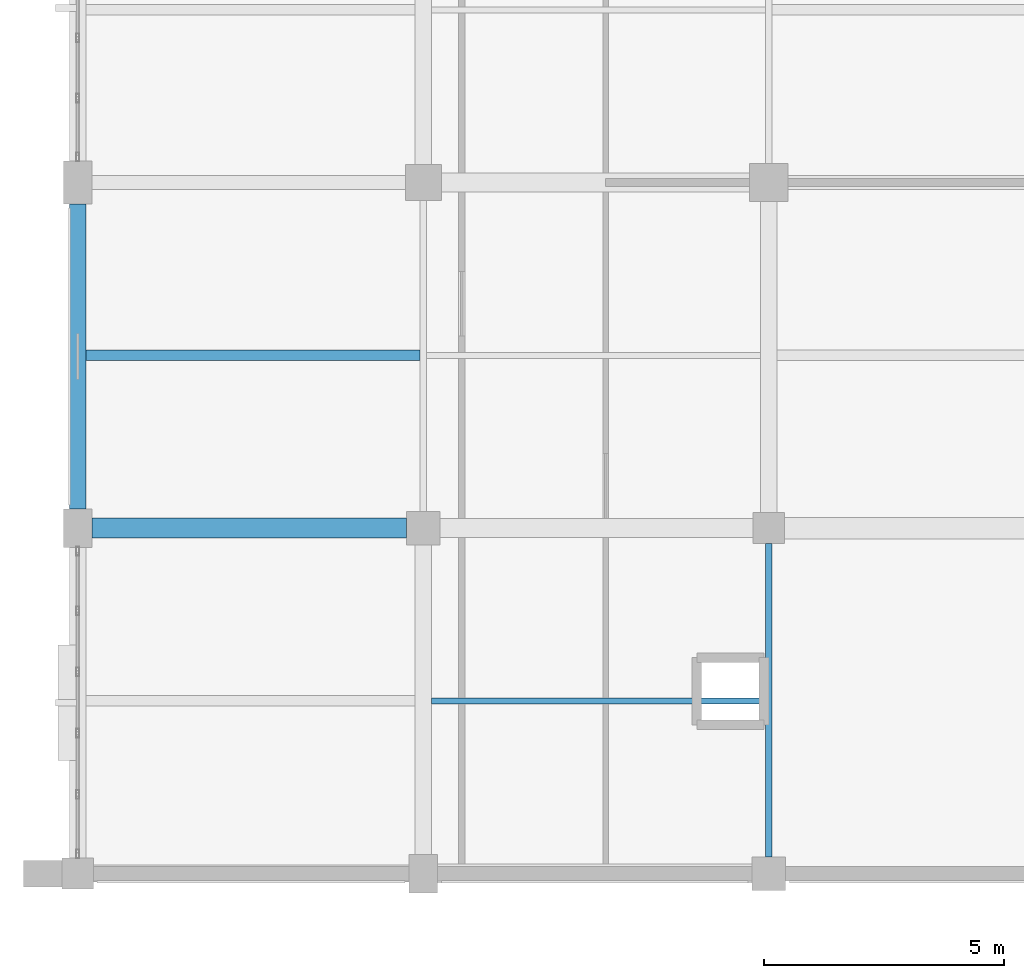
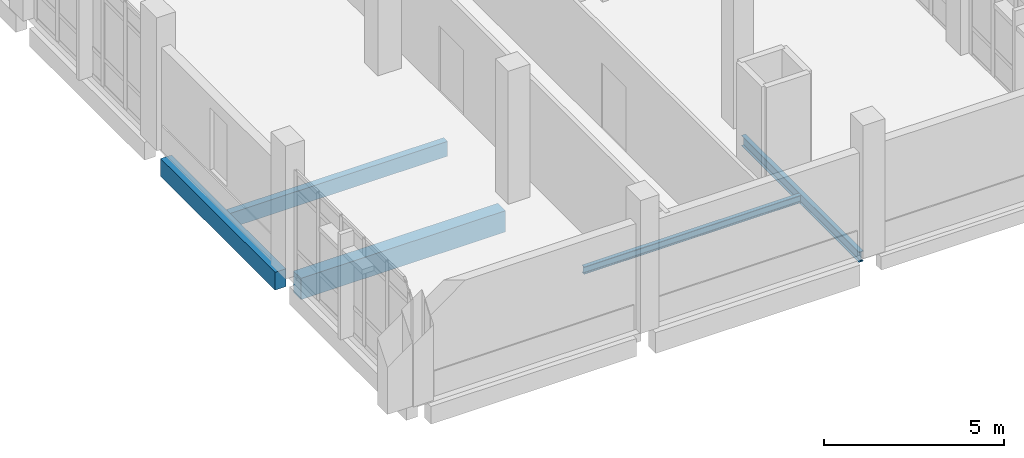
# One storey, part 10 of 134: 5 beams.
"""IFC4 building model written with IfcOpenShell, lengths in metres."""

from ifc_helpers import new_model, si_unit, direction, frame, origin, origin_2d, place, context, subcontext, project, spatial, rectangle, i_section, extrude, material, material_profile, profile_set, type_object, element, save


model = new_model("IFC4")

# Units and contexts
model_context = context("Model", 3, precision=1e-05, world=origin(), true_north=direction((0.0, 1.0)))
body_context = subcontext(model_context, "Body", "Model", "MODEL_VIEW")
ifc_project = project(units=[si_unit("LENGTHUNIT", "METRE"), si_unit("AREAUNIT", "SQUARE_METRE"), si_unit("VOLUMEUNIT", "CUBIC_METRE"), si_unit("PLANEANGLEUNIT", "RADIAN"), si_unit("MASSUNIT", "GRAM", prefix="KILO")], contexts=[model_context])

# Site, building, storey
site_placement = place(None, origin())
site = spatial("IfcSite", under=ifc_project, at=site_placement, CompositionType="ELEMENT")
building_placement = place(site_placement, origin())
building = spatial("IfcBuilding", under=site, at=building_placement, Name="Kalluvel Institute of Natural Sciences", CompositionType="ELEMENT")
storey_placement = place(building_placement, frame((0.0, 0.0, 5.39990234375)))
storey = spatial("IfcBuildingStorey", under=building, at=storey_placement, Name="L01", CompositionType="ELEMENT", Elevation=5.39990234375)

# Beams
ifc_material_1 = material(Name="Steel E350 Grade 350", Category="steel")
ifc_material_profile_1 = material_profile(ifc_material_1, i_section(OverallWidth=0.139892578125, OverallDepth=0.35009765625, WebThickness=0.008056640625, FlangeThickness=0.01416015625, FilletRadius=0.013916015625, at=origin_2d()), Name="ISMB 350")
ifc_profile_set_1 = profile_set([ifc_material_profile_1], Name="Steel E350 Grade 350")
beam_type_1 = type_object("IfcBeamType", Name="BM-ISMB350", PredefinedType="BEAM", material=ifc_profile_set_1)
beam_1_placement = place(storey_placement, frame((28.39990234375, 14.35009765625, -0.474853515625), z_axis=(0.0, 1.0, 0.0), x_axis=(-1.0, 0.0, 0.0)))
element("IfcBeam", 1, at=beam_1_placement, inside=storey, type_object=beam_type_1, Name="L01 girder GIR-L01-NS-X284-Y140", PredefinedType="BEAM", context=body_context, shape_type="SweptSolid", body=[
    extrude(i_section(OverallWidth=0.139892578125, OverallDepth=0.35009765625, WebThickness=0.008056640625, FlangeThickness=0.01416015625, FilletRadius=0.013916015625, at=origin_2d()), origin(), (0.0, 0.0, 1.0), 6.52490234375),
])
ifc_material_2 = material(Name="Concrete M40", Category="concrete")
ifc_material_profile_2 = material_profile(ifc_material_2, rectangle(XDim=0.419921875, YDim=0.719970703125, at=origin_2d()), Name="RCB 420x720")
ifc_profile_set_2 = profile_set([ifc_material_profile_2], Name="Concrete M40")
beam_type_2 = type_object("IfcBeamType", Name="BM-RC420x720", PredefinedType="BEAM", material=ifc_profile_set_2)
beam_2_placement = place(storey_placement, frame((14.300048828125, 21.199951171875, -0.659912109375), z_axis=(1.0, 0.0, 0.0), x_axis=(0.0, 1.0, 0.0)))
element("IfcBeam", 2, at=beam_2_placement, inside=storey, type_object=beam_type_2, Name="L01 girder GIR-L01-EW-X140-Y212", PredefinedType="BEAM", context=body_context, shape_type="SweptSolid", body=[
    extrude(rectangle(XDim=0.419921875, YDim=0.719970703125, at=origin_2d()), origin(), (0.0, 0.0, 1.0), 6.550048828125),
])
ifc_material_profile_3 = material_profile(ifc_material_2, rectangle(XDim=0.35009765625, YDim=0.60009765625, at=origin_2d()), Name="RCB 350x600")
ifc_profile_set_3 = profile_set([ifc_material_profile_3], Name="Concrete M40")
beam_type_3 = type_object("IfcBeamType", Name="SP-RC350x600", PredefinedType="SPANDREL", material=ifc_profile_set_3)
beam_3_placement = place(storey_placement, frame((14.0, 21.60009765625, -0.599853515625), z_axis=(0.0, 1.0, 0.0), x_axis=(-1.0, 0.0, 0.0)))
element("IfcBeam", 3, at=beam_3_placement, inside=storey, type_object=beam_type_3, Name="L01 girder GIR-L01-NS-X140-Y212", PredefinedType="SPANDREL", context=body_context, shape_type="SweptSolid", body=[
    extrude(rectangle(XDim=0.35009765625, YDim=0.60009765625, at=origin_2d()), origin(), (0.0, 0.0, 1.0), 6.349853515625),
])
ifc_material_profile_4 = material_profile(ifc_material_2, rectangle(XDim=0.219970703125, YDim=0.5, at=origin_2d()), Name="WAF 220x500")
ifc_profile_set_4 = profile_set([ifc_material_profile_4], Name="Concrete M40")
beam_type_4 = type_object("IfcBeamType", Name="WJ-220x500", PredefinedType="JOIST", material=ifc_profile_set_4)
beam_4_placement = place(storey_placement, frame((14.175048828125, 24.800048828125, -0.5498046875), z_axis=(1.0, 0.0, 0.0), x_axis=(0.0, 1.0, 0.0)))
element("IfcBeam", 4, at=beam_4_placement, inside=storey, type_object=beam_type_4, Name="L01 floor rib RIB-L01-0628", PredefinedType="JOIST", context=body_context, shape_type="SweptSolid", body=[
    extrude(rectangle(XDim=0.219970703125, YDim=0.5, at=origin_2d()), origin(), (0.0, 0.0, 1.0), 6.954833984375),
])
ifc_material_profile_5 = material_profile(ifc_material_1, i_section(OverallWidth=0.125, OverallDepth=0.25, WebThickness=0.0068359375, FlangeThickness=0.012451171875, FilletRadius=0.012939453125, at=origin_2d()), Name="ISMB 250")
ifc_profile_set_5 = profile_set([ifc_material_profile_5], Name="Steel E350 Grade 350")
beam_type_5 = type_object("IfcBeamType", Name="WJ-ISMB250", PredefinedType="JOIST", material=ifc_profile_set_5)
beam_5_placement = place(storey_placement, frame((21.375, 17.60009765625, -0.4248046875), z_axis=(1.0, 0.0, 0.0), x_axis=(0.0, 1.0, 0.0)))
element("IfcBeam", 5, at=beam_5_placement, inside=storey, type_object=beam_type_5, Name="L01 floor rib RIB-L01-0627", PredefinedType="JOIST", context=body_context, shape_type="SweptSolid", body=[
    extrude(i_section(OverallWidth=0.125, OverallDepth=0.25, WebThickness=0.0068359375, FlangeThickness=0.012451171875, FilletRadius=0.012939453125, at=origin_2d()), origin(), (0.0, 0.0, 1.0), 6.955078125),
])

save(model, "model.ifc")
